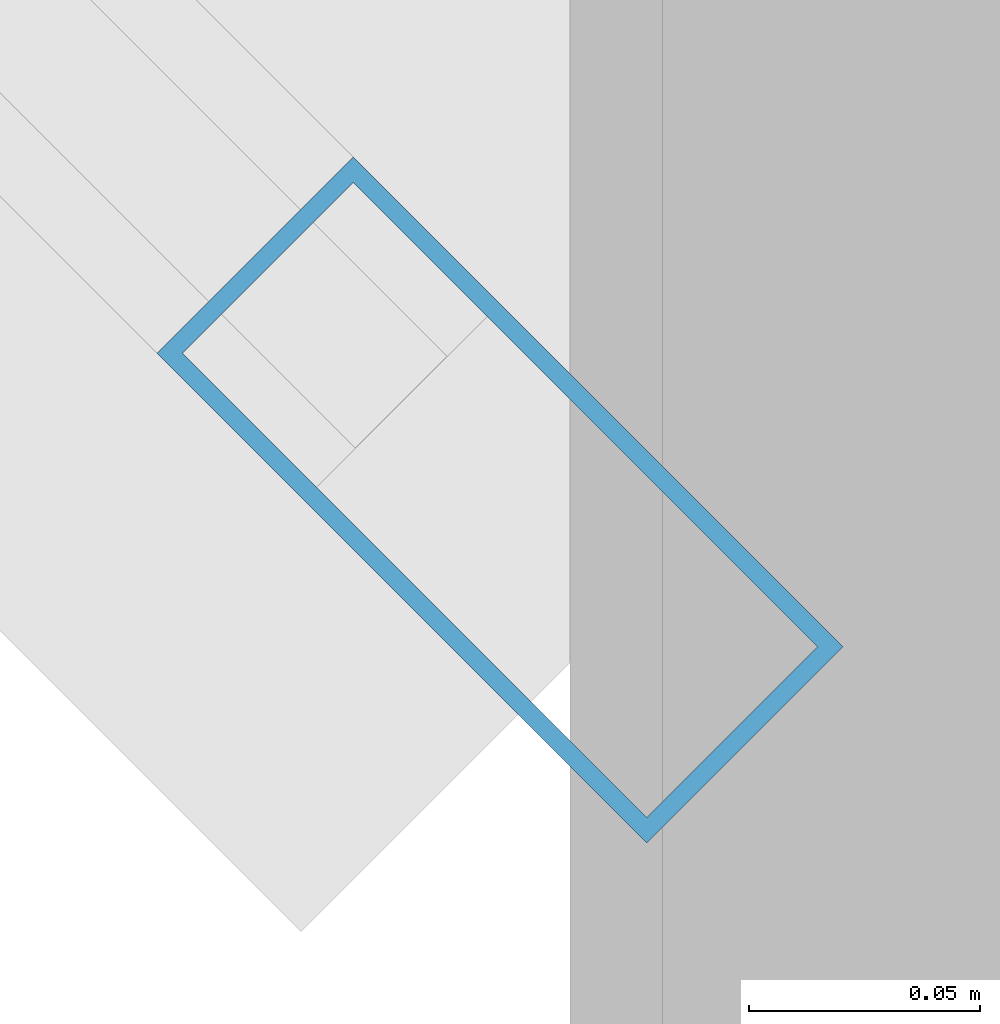
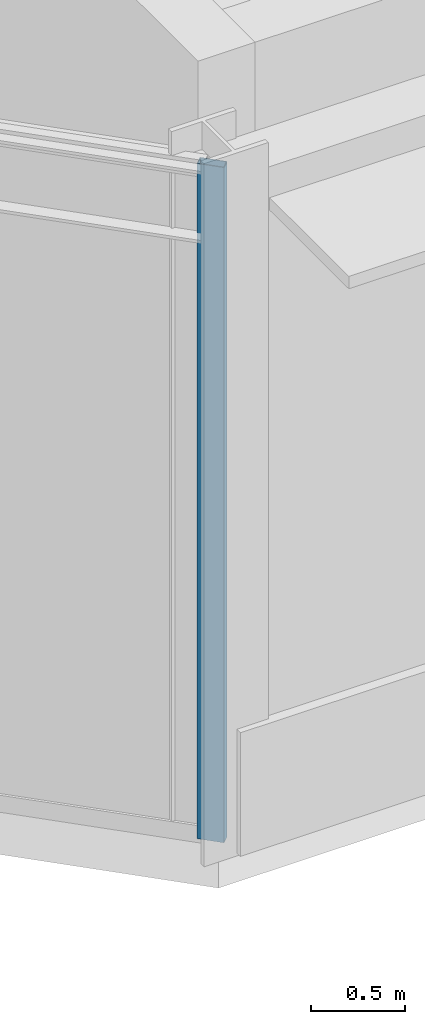
# One storey, part 51 of 157: 1 member, 1 element without a shape of its own.
"""IFC4 building model written with IfcOpenShell, lengths in metres."""

from ifc_helpers import new_model, si_unit, direction, frame, origin, origin_2d, place, context, subcontext, project, spatial, hollow_rectangle, extrude, material, material_profile, profile_set, type_object, element, aggregate, save


model = new_model("IFC4")

# Units and contexts
model_context = context("Model", 3, precision=1e-05, world=origin(), true_north=direction((0.0, 1.0)))
body_context = subcontext(model_context, "Body", "Model", "MODEL_VIEW")
ifc_project = project(units=[si_unit("LENGTHUNIT", "METRE"), si_unit("AREAUNIT", "SQUARE_METRE"), si_unit("VOLUMEUNIT", "CUBIC_METRE"), si_unit("PLANEANGLEUNIT", "RADIAN"), si_unit("MASSUNIT", "GRAM", prefix="KILO")], contexts=[model_context])

# Site, building, storey
site_placement = place(None, origin())
site = spatial("IfcSite", under=ifc_project, at=site_placement, CompositionType="ELEMENT")
building_placement = place(site_placement, origin())
building = spatial("IfcBuilding", under=site, at=building_placement, Name="Almandine Court Research Institute", CompositionType="ELEMENT")
storey_placement = place(building_placement, frame((0.0, 0.0, 5.25)))
storey = spatial("IfcBuildingStorey", under=building, at=storey_placement, Name="L01", CompositionType="ELEMENT", Elevation=5.25)

# Curtain wall, member
ifc_material_1 = material(Name="Unitised Curtain Wall Framing and Solar Glazing", Category="glass")
curtain_wall_type = type_object("IfcCurtainWallType", Name="CW-CWG-05", PredefinedType="USERDEFINED", material=ifc_material_1)
curtain_wall_placement = place(storey_placement, origin())
curtain_wall = element("IfcCurtainWall", 1, at=curtain_wall_placement, inside=storey, type_object=curtain_wall_type, Name="L01 Cleanroom SW Chamfer Glazing", ObjectType="UNITISED GLAZING", PredefinedType="USERDEFINED")
ifc_material_2 = material(Name="Anodised Aluminium AW-6063-T6", Category="aluminium")
ifc_material_profile = material_profile(ifc_material_2, hollow_rectangle(XDim=0.06005859375, YDim=0.14990234375, WallThickness=0.00390625, at=origin_2d()), Name="ALU RHS 60x150x4")
ifc_profile_set = profile_set([ifc_material_profile], Name="Anodised Aluminium AW-6063-T6")
member_type = type_object("IfcMemberType", Name="CWMul-60x150", PredefinedType="MULLION", material=ifc_profile_set)
member_placement = place(storey_placement, frame((10.77490234375, 84.025146484375, 0.0), z_axis=(0.0, 0.0, 1.0), x_axis=(-0.707106781187, -0.707106781187, 0.0)))
member = element("IfcMember", 2, at=member_placement, type_object=member_type, Name="CWG-05 mullion 1", PredefinedType="MULLION", context=body_context, shape_type="SweptSolid", body=[
    extrude(hollow_rectangle(XDim=0.06005859375, YDim=0.14990234375, WallThickness=0.00390625, at=origin_2d()), origin(), (0.0, 0.0, 1.0), 4.3701171875),
])
aggregate(curtain_wall, [member])

save(model, "model.ifc")
